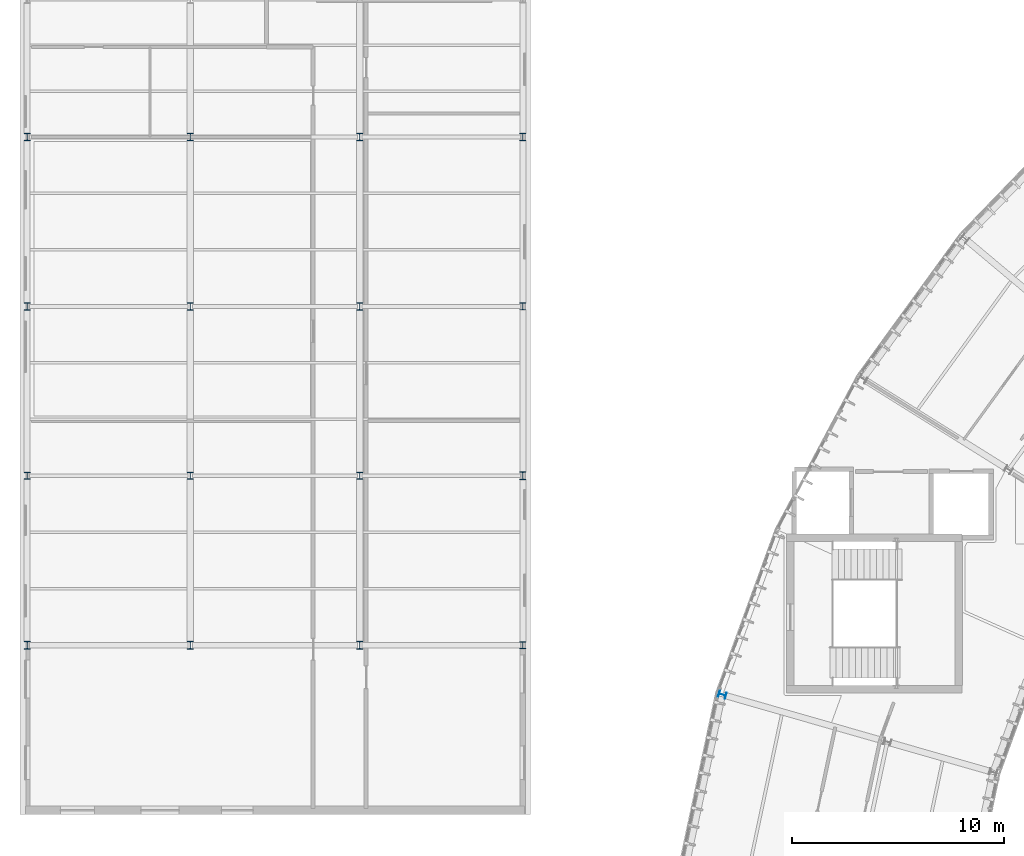
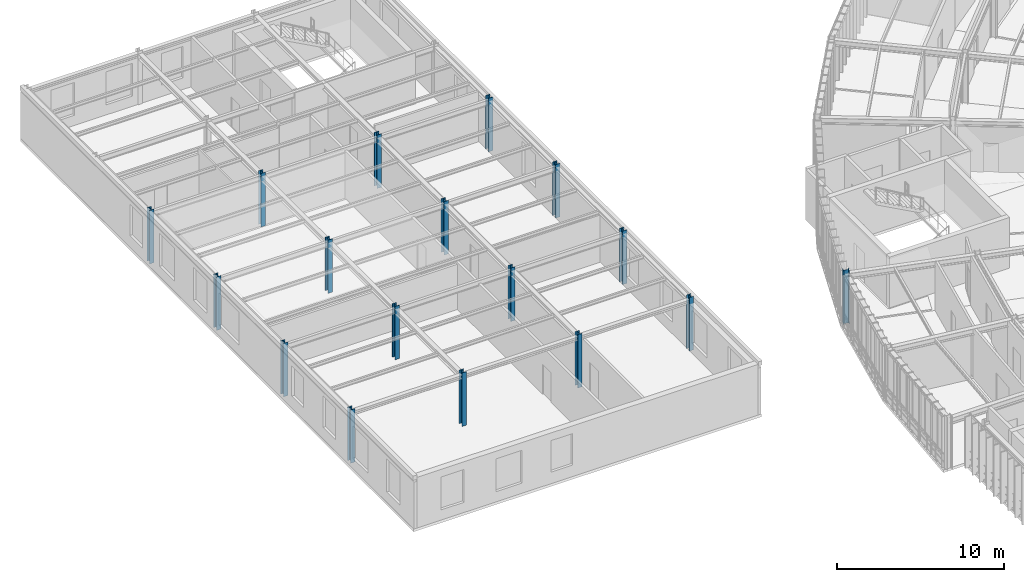
# One storey, part 2 of 41: 17 columns.
"""IFC4 building model written with IfcOpenShell, lengths in metres."""

from ifc_helpers import new_model, si_unit, direction, frame, origin, origin_2d, place, context, subcontext, project, spatial, i_section, extrude, material, material_profile, profile_set, type_object, element, save


model = new_model("IFC4")

# Units and contexts
model_context = context("Model", 3, precision=1e-05, world=origin(), true_north=direction((0.0, 1.0)))
body_context = subcontext(model_context, "Body", "Model", "MODEL_VIEW")
ifc_project = project(units=[si_unit("LENGTHUNIT", "METRE"), si_unit("AREAUNIT", "SQUARE_METRE"), si_unit("VOLUMEUNIT", "CUBIC_METRE"), si_unit("PLANEANGLEUNIT", "RADIAN"), si_unit("MASSUNIT", "GRAM", prefix="KILO"), si_unit("THERMODYNAMICTEMPERATUREUNIT", "KELVIN"), si_unit("POWERUNIT", "WATT")], contexts=[model_context])

# Site, building, storey
site_placement = place(None, origin())
site = spatial("IfcSite", under=ifc_project, at=site_placement, CompositionType="ELEMENT")
building_placement = place(site_placement, origin())
building = spatial("IfcBuilding", under=site, at=building_placement, Name="Solvatero Civic Police Headquarters", CompositionType="ELEMENT")
storey_placement = place(building_placement, frame((0.0, 0.0, 17.699951171875)))
storey = spatial("IfcBuildingStorey", under=building, at=storey_placement, Name="L04", CompositionType="ELEMENT", Elevation=17.699951171875)

# Columns
ifc_material = material(Name="Steel S355", Category="steel")
ifc_material_profile_1 = material_profile(ifc_material, i_section(OverallWidth=0.300048828125, OverallDepth=0.340087890625, WebThickness=0.011962890625, FlangeThickness=0.021484375, FilletRadius=0.027099609375, at=origin_2d()), Name="HEB 340")
ifc_profile_set_1 = profile_set([ifc_material_profile_1], Name="Steel S355")
column_type_1 = type_object("IfcColumnType", Name="COL-ST-HEB340", PredefinedType="COLUMN", material=ifc_profile_set_1)
for number, where, z_axis, x_axis, name in (
    (1, (4.800048828125, 52.5, 0.0), (0.0, 0.0, 1.0), (1.0, 0.0, 0.0), "Column V6-X1Y2 L04"),
    (2, (4.800048828125, 68.5, 0.0), (0.0, 0.0, 1.0), (1.0, 0.0, 0.0), "Column V6-X1Y4 L04"),
    (3, (12.5, 52.5, 0.0), (0.0, 0.0, 1.0), (1.0, 0.0, 0.0), "Column V6-X2Y2 L04"),
    (4, (12.5, 68.5, 0.0), (0.0, 0.0, 1.0), (1.0, 0.0, 0.0), "Column V6-X2Y4 L04"),
    (5, (20.5, 52.5, 0.0), (0.0, 0.0, 1.0), (1.0, 0.0, 0.0), "Column V6-X3Y2 L04"),
    (6, (20.5, 68.5, 0.0), (0.0, 0.0, 1.0), (1.0, 0.0, 0.0), "Column V6-X3Y4 L04"),
    (7, (28.199951171875, 44.5, 0.0), (0.0, 0.0, 1.0), (1.0, 0.0, 0.0), "Column V6-X4Y1 L04"),
    (8, (28.199951171875, 60.5, 0.0), (0.0, 0.0, 1.0), (1.0, 0.0, 0.0), "Column V6-X4Y3 L04"),
):
    element("IfcColumn", number, at=place(storey_placement, frame(where, z_axis=z_axis, x_axis=x_axis)), inside=storey, type_object=column_type_1, Name=name, PredefinedType="COLUMN", context=body_context, shape_type="SweptSolid", body=[
        extrude(i_section(OverallWidth=0.300048828125, OverallDepth=0.340087890625, WebThickness=0.011962890625, FlangeThickness=0.021484375, FilletRadius=0.027099609375, at=origin_2d()), origin(), (0.0, 0.0, 1.0), 3.900146484375),
    ])
ifc_material_profile_2 = material_profile(ifc_material, i_section(OverallWidth=0.300048828125, OverallDepth=0.360107421875, WebThickness=0.012451171875, FlangeThickness=0.0224609375, FilletRadius=0.027099609375, at=origin_2d()), Name="HEB 360")
ifc_profile_set_2 = profile_set([ifc_material_profile_2], Name="Steel S355")
column_type_2 = type_object("IfcColumnType", Name="COL-ST-HEB360", PredefinedType="COLUMN", material=ifc_profile_set_2)
for number, where, z_axis, x_axis, name in (
    (9, (37.6220703125, 42.166015625, 0.0), (0.0, 0.0, 1.0), (0.275637355817, 0.961261695938, 0.0), "Column ARC-S10-OUT L04"),
    (10, (4.800048828125, 44.5, 0.0), (0.0, 0.0, 1.0), (1.0, 0.0, 0.0), "Column V6-X1Y1 L04"),
    (11, (4.800048828125, 60.5, 0.0), (0.0, 0.0, 1.0), (1.0, 0.0, 0.0), "Column V6-X1Y3 L04"),
    (12, (12.5, 44.5, 0.0), (0.0, 0.0, 1.0), (1.0, 0.0, 0.0), "Column V6-X2Y1 L04"),
    (13, (12.5, 60.5, 0.0), (0.0, 0.0, 1.0), (1.0, 0.0, 0.0), "Column V6-X2Y3 L04"),
    (14, (20.5, 44.5, 0.0), (0.0, 0.0, 1.0), (1.0, 0.0, 0.0), "Column V6-X3Y1 L04"),
    (15, (20.5, 60.5, 0.0), (0.0, 0.0, 1.0), (1.0, 0.0, 0.0), "Column V6-X3Y3 L04"),
    (16, (28.199951171875, 52.5, 0.0), (0.0, 0.0, 1.0), (1.0, 0.0, 0.0), "Column V6-X4Y2 L04"),
    (17, (28.199951171875, 68.5, 0.0), (0.0, 0.0, 1.0), (1.0, 0.0, 0.0), "Column V6-X4Y4 L04"),
):
    element("IfcColumn", number, at=place(storey_placement, frame(where, z_axis=z_axis, x_axis=x_axis)), inside=storey, type_object=column_type_2, Name=name, PredefinedType="COLUMN", context=body_context, shape_type="SweptSolid", body=[
        extrude(i_section(OverallWidth=0.300048828125, OverallDepth=0.360107421875, WebThickness=0.012451171875, FlangeThickness=0.0224609375, FilletRadius=0.027099609375, at=origin_2d()), origin(), (0.0, 0.0, 1.0), 3.900146484375),
    ])

save(model, "model.ifc")
